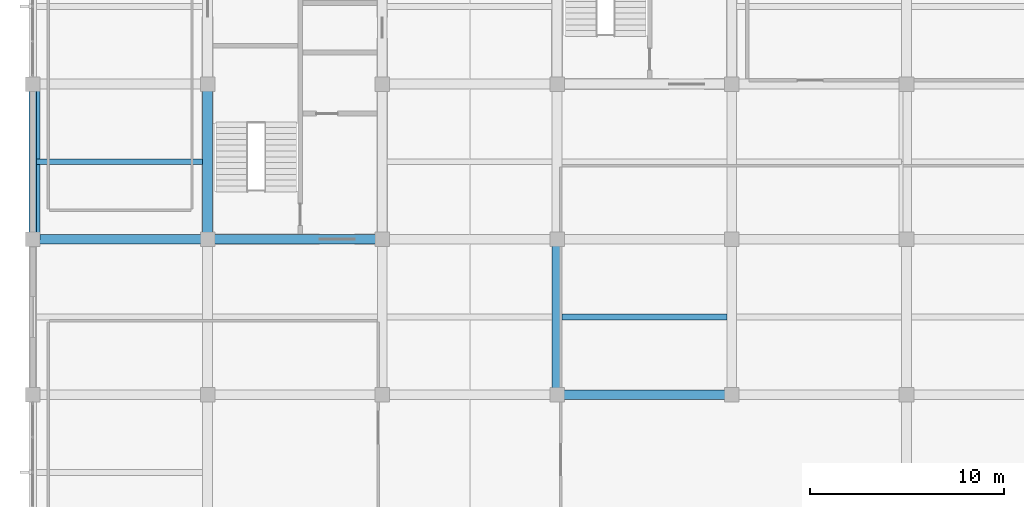
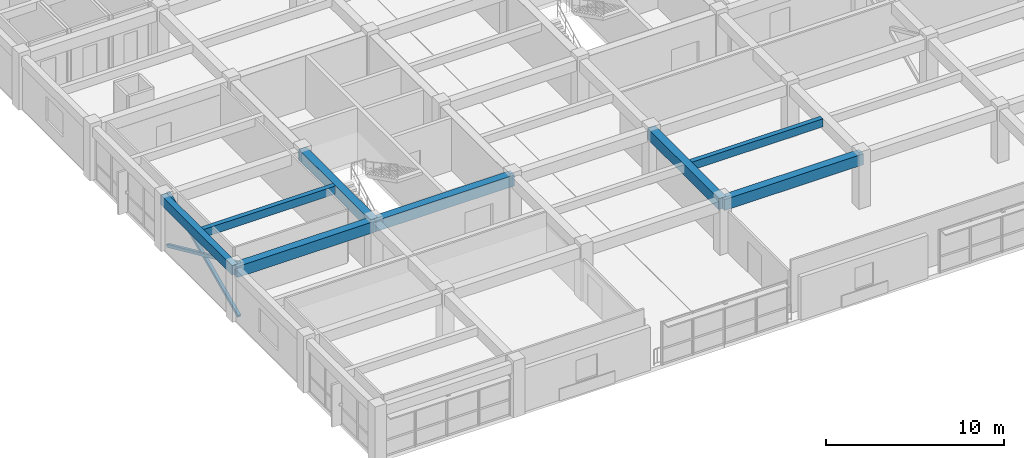
# One storey, part 3 of 15: 8 beams, 2 members.
"""IFC4 building model written with IfcOpenShell, lengths in metres."""

from ifc_helpers import new_model, si_unit, direction, frame, origin, origin_2d, place, context, subcontext, project, spatial, rectangle, hollow_rectangle, extrude, material, material_profile, profile_set, type_object, element, save


model = new_model("IFC4")

# Units and contexts
model_context = context("Model", 3, precision=1e-05, world=origin(), true_north=direction((0.0, 1.0)))
body_context = subcontext(model_context, "Body", "Model", "MODEL_VIEW")
ifc_project = project(units=[si_unit("LENGTHUNIT", "METRE"), si_unit("AREAUNIT", "SQUARE_METRE"), si_unit("VOLUMEUNIT", "CUBIC_METRE"), si_unit("PLANEANGLEUNIT", "RADIAN"), si_unit("MASSUNIT", "GRAM", prefix="KILO")], contexts=[model_context])

# Site, building, storey
site_placement = place(None, origin())
site = spatial("IfcSite", under=ifc_project, at=site_placement, CompositionType="ELEMENT")
building_placement = place(site_placement, origin())
building = spatial("IfcBuilding", under=site, at=building_placement, Name="Zaverband Oceanarium and Marine Research Institute", CompositionType="ELEMENT")
storey_placement = place(building_placement, frame((0.0, 0.0, 45.300048828125)))
storey = spatial("IfcBuildingStorey", under=building, at=storey_placement, Name="L11", CompositionType="ELEMENT", Elevation=45.300048828125)

# Beams
ifc_material_1 = material(Name="Concrete C40/50", Category="concrete")
ifc_material_profile_1 = material_profile(ifc_material_1, rectangle(XDim=0.5, YDim=0.75, at=origin_2d()), Name="RC500x750")
ifc_profile_set_1 = profile_set([ifc_material_profile_1], Name="Concrete C40/50")
beam_type_1 = type_object("IfcBeamType", Name="BM-500x750", PredefinedType="BEAM", material=ifc_profile_set_1)
for number, where, z_axis, x_axis, name in (
    (1, (36.0, 72.0, 3.244873046875), (1.0, 0.0, 0.0), (0.0, 1.0, 0.0), "Primary floor girder BM-500x750"),
    (2, (9.0, 80.0, 3.244873046875), (1.0, 0.0, 0.0), (0.0, 1.0, 0.0), "Primary floor girder BM-500x750"),
    (3, (18.0, 80.0, 3.244873046875), (1.0, 0.0, 0.0), (0.0, 1.0, 0.0), "Primary floor girder BM-500x750"),
):
    element("IfcBeam", number, at=place(storey_placement, frame(where, z_axis=z_axis, x_axis=x_axis)), inside=storey, type_object=beam_type_1, Name=name, PredefinedType="BEAM", context=body_context, shape_type="SweptSolid", body=[
        extrude(rectangle(XDim=0.5, YDim=0.75, at=origin_2d()), origin(), (0.0, 0.0, 1.0), 9.0),
    ])
for number, where, z_axis, x_axis, name in (
    (4, (18.0, 80.0, 3.244873046875), (0.0, 1.0, 0.0), (-1.0, 0.0, 0.0), "Primary floor girder BM-500x750"),
    (5, (36.0, 72.0, 3.244873046875), (0.0, 1.0, 0.0), (-1.0, 0.0, 0.0), "Primary floor girder BM-500x750"),
):
    element("IfcBeam", number, at=place(storey_placement, frame(where, z_axis=z_axis, x_axis=x_axis)), inside=storey, type_object=beam_type_1, Name=name, PredefinedType="BEAM", context=body_context, shape_type="SweptSolid", body=[
        extrude(rectangle(XDim=0.5, YDim=0.75, at=origin_2d()), origin(), (0.0, 0.0, 1.0), 8.0),
    ])

# Members
ifc_material_2 = material(Name="Steel S355", Category="steel")
ifc_material_profile_2 = material_profile(ifc_material_2, hollow_rectangle(XDim=0.199951171875, YDim=0.199951171875, WallThickness=0.010009765625, at=origin_2d()), Name="SHS200x200x10")
ifc_profile_set_2 = profile_set([ifc_material_profile_2], Name="Steel S355")
member_type = type_object("IfcMemberType", Name="BR-03", PredefinedType="BRACE", material=ifc_profile_set_2)
for number, where, z_axis, x_axis, name in (
    (6, (9.280029296875, 80.0, 0.0), (0.0, 0.911072618573, 0.412245901965), (-1.0, 0.0, 0.0), "Diagonal lateral brace BR-03"),
    (7, (9.280029296875, 88.0, 0.0), (0.0, -0.911072618573, 0.412245901965), (1.0, 0.0, 0.0), "Diagonal lateral brace BR-03"),
):
    element("IfcMember", number, at=place(storey_placement, frame(where, z_axis=z_axis, x_axis=x_axis)), inside=storey, type_object=member_type, Name=name, PredefinedType="BRACE", context=body_context, shape_type="SweptSolid", body=[
        extrude(hollow_rectangle(XDim=0.199951171875, YDim=0.199951171875, WallThickness=0.010009765625, at=origin_2d()), origin(), (0.0, 0.0, 1.0), 8.78076171875),
    ])

# Beams
ifc_material_profile_3 = material_profile(ifc_material_1, rectangle(XDim=0.300048828125, YDim=0.550048828125, at=origin_2d()), Name="RC300x550")
ifc_profile_set_3 = profile_set([ifc_material_profile_3], Name="Concrete C40/50")
beam_type_2 = type_object("IfcBeamType", Name="JST-300x550", PredefinedType="JOIST", material=ifc_profile_set_3)
beam_1_placement = place(storey_placement, frame((9.199951171875, 84.0, 3.344970703125), z_axis=(1.0, 0.0, 0.0), x_axis=(0.0, 1.0, 0.0)))
element("IfcBeam", 8, at=beam_1_placement, inside=storey, type_object=beam_type_2, Name="Secondary floor joist JST-300x550", PredefinedType="JOIST", context=body_context, shape_type="SweptSolid", body=[
    extrude(rectangle(XDim=0.300048828125, YDim=0.550048828125, at=origin_2d()), origin(), (0.0, 0.0, 1.0), 8.550048828125),
])
beam_2_placement = place(storey_placement, frame((36.25, 76.0, 3.344970703125), z_axis=(1.0, 0.0, 0.0), x_axis=(0.0, 1.0, 0.0)))
element("IfcBeam", 9, at=beam_2_placement, inside=storey, type_object=beam_type_2, Name="Secondary floor joist JST-300x550", PredefinedType="JOIST", context=body_context, shape_type="SweptSolid", body=[
    extrude(rectangle(XDim=0.300048828125, YDim=0.550048828125, at=origin_2d()), origin(), (0.0, 0.0, 1.0), 8.5),
])
ifc_material_profile_4 = material_profile(ifc_material_1, rectangle(XDim=0.39990234375, YDim=0.64990234375, at=origin_2d()), Name="RC400x650")
ifc_profile_set_4 = profile_set([ifc_material_profile_4], Name="Concrete C40/50")
beam_type_3 = type_object("IfcBeamType", Name="SPN-400x650", PredefinedType="SPANDREL", material=ifc_profile_set_4)
beam_3_placement = place(storey_placement, frame((9.0, 80.0, 3.294921875), z_axis=(0.0, 1.0, 0.0), x_axis=(-1.0, 0.0, 0.0)))
element("IfcBeam", 10, at=beam_3_placement, inside=storey, type_object=beam_type_3, Name="Perimeter spandrel beam SPN-400x650", PredefinedType="SPANDREL", context=body_context, shape_type="SweptSolid", body=[
    extrude(rectangle(XDim=0.39990234375, YDim=0.64990234375, at=origin_2d()), origin(), (0.0, 0.0, 1.0), 8.0),
])

save(model, "model.ifc")
